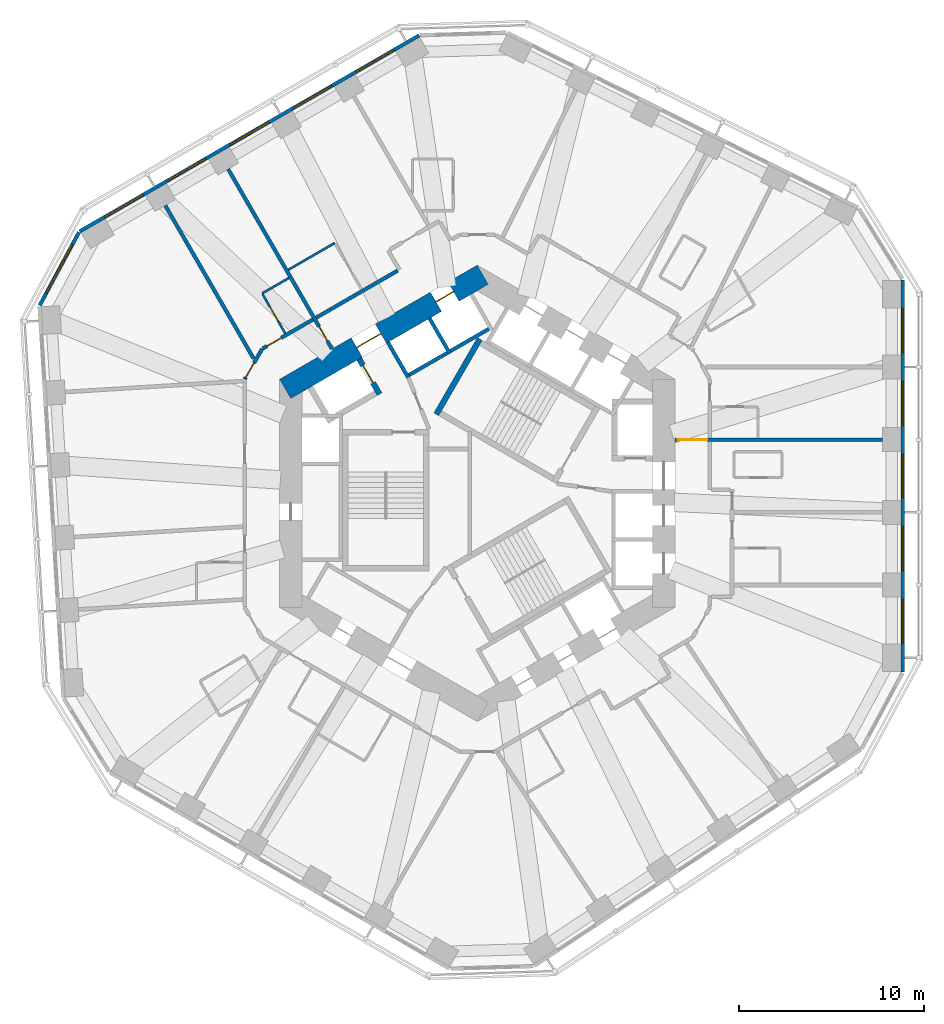
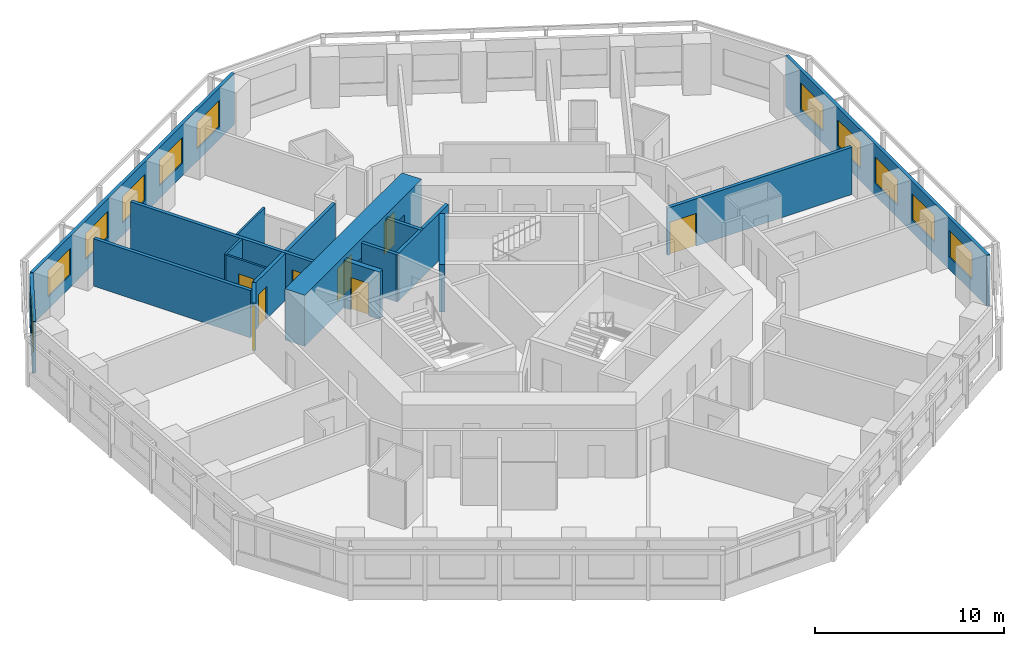
# One storey, part 7 of 12: 18 walls, 11 windows, 8 doors, 19 openings.
"""IFC4 building model written with IfcOpenShell, lengths in metres."""

from ifc_helpers import new_model, si_unit, direction, frame, frame_2d, origin, place, context, subcontext, project, spatial, rectangle, extrude, material, layer, layer_set, type_object, element, fill, save


model = new_model("IFC4")

# Units and contexts
model_context = context("Model", 3, precision=1e-05, world=origin(), true_north=direction((0.0, 1.0)))
body_context = subcontext(model_context, "Body", "Model", "MODEL_VIEW")
ifc_project = project(units=[si_unit("LENGTHUNIT", "METRE"), si_unit("AREAUNIT", "SQUARE_METRE"), si_unit("VOLUMEUNIT", "CUBIC_METRE"), si_unit("PLANEANGLEUNIT", "RADIAN"), si_unit("MASSUNIT", "GRAM", prefix="KILO")], contexts=[model_context])

# Site, building, storey
site_placement = place(None, origin())
site = spatial("IfcSite", under=ifc_project, at=site_placement, CompositionType="ELEMENT")
building_placement = place(site_placement, origin())
building = spatial("IfcBuilding", under=site, at=building_placement, Name="Vanh Sen Convention Tower", CompositionType="ELEMENT")
storey_placement = place(building_placement, frame((0.0, 0.0, 44.0)))
storey = spatial("IfcBuildingStorey", under=building, at=storey_placement, Name="L07", CompositionType="ELEMENT", Elevation=44.0)

# Wall
ifc_material_1 = material(Name="Moisture-resistant gypsum board on steel studs", Category="steel")
ifc_layer_1 = layer(ifc_material_1, 0.1201171875)
ifc_layer_set_1 = layer_set([ifc_layer_1], Name="Moisture-resistant gypsum board on steel studs")
wall_type_1 = type_object("IfcWallType", Name="Bathroom partition 120", PredefinedType="PARTITIONING", material=ifc_layer_set_1)
wall_1_placement = place(storey_placement, frame((-11.65087890625, 10.82470703125, 0.0), z_axis=(0.0, 0.0, 1.0), x_axis=(0.865998477143, 0.500046635412, 0.0)))
element("IfcWall", 1, at=wall_1_placement, inside=storey, type_object=wall_type_1, Name="Bathroom partition 120", PredefinedType="PARTITIONING", context=body_context, shape_type="SweptSolid", body=[
    extrude(rectangle(XDim=1.673095703125, YDim=0.1201171875, at=frame_2d((0.83642578125, 0.0))), origin(), (0.0, 0.0, 1.0), 3.050048828125),
])

# Wall, opening, door
wall_2_placement = place(storey_placement, frame((-10.40087890625, 8.65966796875, 0.0), z_axis=(0.0, 0.0, 1.0), x_axis=(-0.500077547548, 0.865980627057, 0.0)))
wall_2 = element("IfcWall", 2, at=wall_2_placement, inside=storey, type_object=wall_type_1, Name="Bathroom partition 120", PredefinedType="PARTITIONING", context=body_context, shape_type="SweptSolid", body=[
    extrude(rectangle(XDim=2.43994140625, YDim=0.1201171875, at=frame_2d((1.219970703125, 0.0))), origin(), (0.0, 0.0, 1.0), 3.050048828125),
])
opening_1_placement = place(wall_2_placement, frame((0.77001953125, 0.0, 0.0)))
opening_1 = element("IfcOpeningElement", 3, at=opening_1_placement, cuts=wall_2, Name="Opening D07117", PredefinedType="OPENING", context=body_context, shape_type="SweptSolid", body=[
    extrude(rectangle(XDim=0.89990234375, YDim=2.10009765625, at=frame_2d((0.449951171875, 1.050048828125))), frame((0.0, 0.070068359375, 0.0), z_axis=(0.0, -1.0, 0.0), x_axis=(1.0, 0.0, 0.0)), (0.0, 0.0, 1.0), 0.14013671875),
])
ifc_material_2 = material(Name="Laminate door in steel frame", Category="steel")
door_type_1 = type_object("IfcDoorType", Name="En-suite door 900", OperationType="SINGLE_SWING_LEFT", PredefinedType="DOOR", material=ifc_material_2)
door_1_placement = place(opening_1_placement, origin())
door_1 = element("IfcDoor", 4, at=door_1_placement, inside=storey, type_object=door_type_1, Name="En-suite door D07117", OperationType="SINGLE_SWING_LEFT", OverallHeight=2.10009765625, OverallWidth=0.89990234375, PredefinedType="DOOR", context=body_context, shape_type="SweptSolid", body=[
    extrude(rectangle(XDim=0.89990234375, YDim=2.10009765625, at=frame_2d((0.449951171875, 1.050048828125))), frame((0.0, 0.02490234375, 0.0), z_axis=(0.0, -1.0, 0.0), x_axis=(1.0, 0.0, 0.0)), (0.0, 0.0, 1.0), 0.050048828125),
])
fill(opening_1, door_1)

# Wall
wall_3_placement = place(storey_placement, frame((-10.228759765625, 12.107666015625, 0.0), z_axis=(0.0, 0.0, 1.0), x_axis=(0.866032775405, 0.499987231761, 0.0)))
element("IfcWall", 5, at=wall_3_placement, inside=storey, type_object=wall_type_1, Name="Bathroom partition 120", PredefinedType="PARTITIONING", context=body_context, shape_type="SweptSolid", body=[
    extrude(rectangle(XDim=2.89990234375, YDim=0.1201171875, at=frame_2d((1.449951171875, 0.0))), origin(), (0.0, 0.0, 1.0), 3.050048828125),
])

# Wall, openings, doors
ifc_material_3 = material(Name="Concrete C80/95", Category="concrete")
ifc_layer_2 = layer(ifc_material_3, 1.199951171875)
ifc_layer_set_2 = layer_set([ifc_layer_2], Name="Concrete C80/95")
wall_type_2 = type_object("IfcWallType", Name="Core outer wall 1200 C80/95", PredefinedType="SHEAR", material=ifc_layer_set_2)
wall_4_placement = place(storey_placement, frame((0.300048828125, 11.835693359375, 0.0), z_axis=(0.0, 0.0, 1.0), x_axis=(-0.866021384402, -0.500006961711, 0.0)))
wall_4 = element("IfcWall", 6, at=wall_4_placement, inside=storey, type_object=wall_type_2, Name="Core wall face NW L07", PredefinedType="SHEAR", context=body_context, shape_type="SweptSolid", body=[
    extrude(rectangle(XDim=12.355224609375, YDim=1.199951171875, at=frame_2d((6.177734375, 0.0))), origin(), (0.0, 0.0, 1.0), 3.300048828125),
])
opening_2_placement = place(wall_4_placement, frame((6.377685546875, 0.0, 0.0)))
opening_2 = element("IfcOpeningElement", 7, at=opening_2_placement, cuts=wall_4, Name="Opening D07002", PredefinedType="OPENING", context=body_context, shape_type="SweptSolid", body=[
    extrude(rectangle(XDim=1.5, YDim=2.10009765625, at=frame_2d((0.75, 1.050048828125))), frame((0.0, 0.60986328125, 0.0), z_axis=(0.0, -1.0, 0.0), x_axis=(1.0, 0.0, 0.0)), (0.0, 0.0, 1.0), 1.219970703125),
])
opening_3_placement = place(wall_4_placement, frame((1.82763671875, 0.0, 0.0)))
opening_3 = element("IfcOpeningElement", 8, at=opening_3_placement, cuts=wall_4, Name="Opening LD-LR6", PredefinedType="OPENING", context=body_context, shape_type="SweptSolid", body=[
    extrude(rectangle(XDim=1.10009765625, YDim=2.10009765625, at=frame_2d((0.550048828125, 1.050048828125))), frame((0.0, 0.60986328125, 0.0), z_axis=(0.0, -1.0, 0.0), x_axis=(1.0, 0.0, 0.0)), (0.0, 0.0, 1.0), 1.219970703125),
])
ifc_material_4 = material(Name="Stainless steel", Category="steel")
door_type_2 = type_object("IfcDoorType", Name="Lift landing door 1100", OperationType="DOUBLE_DOOR_SLIDING", PredefinedType="DOOR", material=ifc_material_4)
door_2_placement = place(opening_3_placement, origin())
door_2 = element("IfcDoor", 9, at=door_2_placement, inside=storey, type_object=door_type_2, Name="Lift LR6 landing door LD-LR6", OperationType="DOUBLE_DOOR_SLIDING", OverallHeight=2.10009765625, OverallWidth=1.10009765625, PredefinedType="DOOR", context=body_context, shape_type="SweptSolid", body=[
    extrude(rectangle(XDim=1.10009765625, YDim=2.10009765625, at=frame_2d((0.550048828125, 1.050048828125))), frame((0.0, 0.02490234375, 0.0), z_axis=(0.0, -1.0, 0.0), x_axis=(1.0, 0.0, 0.0)), (0.0, 0.0, 1.0), 0.050048828125),
])
fill(opening_3, door_2)
ifc_material_5 = material(Name="Steel S355", Category="steel")
door_type_3 = type_object("IfcDoorType", Name="Stair lobby door 1500", OperationType="DOUBLE_DOOR_SINGLE_SWING", PredefinedType="DOOR", material=ifc_material_5)
door_3_placement = place(opening_2_placement, origin())
door_3 = element("IfcDoor", 10, at=door_3_placement, inside=storey, type_object=door_type_3, Name="Stair lobby door D07002", OperationType="DOUBLE_DOOR_SINGLE_SWING", OverallHeight=2.10009765625, OverallWidth=1.5, PredefinedType="DOOR", context=body_context, shape_type="SweptSolid", body=[
    extrude(rectangle(XDim=1.5, YDim=2.10009765625, at=frame_2d((0.75, 1.050048828125))), frame((0.0, 0.02490234375, 0.0), z_axis=(0.0, -1.0, 0.0), x_axis=(1.0, 0.0, 0.0)), (0.0, 0.0, 1.0), 0.050048828125),
])
fill(opening_2, door_3)

# Wall, opening, door
ifc_material_6 = material(Name="Gypsum board on steel studs with mineral wool", Category="steel")
ifc_layer_3 = layer(ifc_material_6, 0.199951171875)
ifc_layer_set_3 = layer_set([ifc_layer_3], Name="Gypsum board on steel studs with mineral wool")
wall_type_3 = type_object("IfcWallType", Name="Corridor partition wall 200", PredefinedType="PARTITIONING", material=ifc_layer_set_3)
wall_5_placement = place(storey_placement, frame((-11.64990234375, 7.822998046875, 0.0), z_axis=(0.0, 0.0, 1.0), x_axis=(-0.500063520245, -0.865988727248, 0.0)))
wall_5 = element("IfcWall", 11, at=wall_5_placement, inside=storey, type_object=wall_type_3, Name="Corridor partition wall 200", PredefinedType="PARTITIONING", context=body_context, shape_type="SweptSolid", body=[
    extrude(rectangle(XDim=1.900146484375, YDim=0.199951171875, at=frame_2d((0.9501953125, 0.0))), origin(), (0.0, 0.0, 1.0), 3.050048828125),
])
opening_4_placement = place(wall_5_placement, frame((0.8818359375, 0.0, 0.0)))
opening_4 = element("IfcOpeningElement", 12, at=opening_4_placement, cuts=wall_5, Name="Opening D07118", PredefinedType="OPENING", context=body_context, shape_type="SweptSolid", body=[
    extrude(rectangle(XDim=0.89990234375, YDim=2.10009765625, at=frame_2d((0.449951171875, 1.050048828125))), frame((0.0, 0.10986328125, 0.0), z_axis=(0.0, -1.0, 0.0), x_axis=(1.0, 0.0, 0.0)), (0.0, 0.0, 1.0), 0.219970703125),
])
ifc_material_7 = material(Name="Timber fire door in steel frame", Category="steel")
door_type_4 = type_object("IfcDoorType", Name="Floor room door 900", OperationType="SINGLE_SWING_LEFT", PredefinedType="DOOR", material=ifc_material_7)
door_4_placement = place(opening_4_placement, origin())
door_4 = element("IfcDoor", 13, at=door_4_placement, inside=storey, type_object=door_type_4, Name="Meeting and amenity room door D07118", OperationType="SINGLE_SWING_LEFT", OverallHeight=2.10009765625, OverallWidth=0.89990234375, PredefinedType="DOOR", context=body_context, shape_type="SweptSolid", body=[
    extrude(rectangle(XDim=0.89990234375, YDim=2.10009765625, at=frame_2d((0.449951171875, 1.050048828125))), frame((0.0, 0.02490234375, 0.0), z_axis=(0.0, -1.0, 0.0), x_axis=(1.0, 0.0, 0.0)), (0.0, 0.0, 1.0), 0.050048828125),
])
fill(opening_4, door_4)

wall_6_placement = place(storey_placement, frame((-8.902099609375, 9.40966796875, 0.0), z_axis=(0.0, 0.0, 1.0), x_axis=(-0.866014299198, -0.500019233215, 0.0)))
wall_6 = element("IfcWall", 14, at=wall_6_placement, inside=storey, type_object=wall_type_3, Name="Corridor partition wall 200", PredefinedType="PARTITIONING", context=body_context, shape_type="SweptSolid", body=[
    extrude(rectangle(XDim=3.13330078125, YDim=0.199951171875, at=frame_2d((1.566650390625, 0.0))), origin(), (0.0, 0.0, 1.0), 3.050048828125),
])
opening_5_placement = place(wall_6_placement, frame((1.97802734375, 0.0, 0.0)))
opening_5 = element("IfcOpeningElement", 15, at=opening_5_placement, cuts=wall_6, Name="Opening D07116", PredefinedType="OPENING", context=body_context, shape_type="SweptSolid", body=[
    extrude(rectangle(XDim=0.89990234375, YDim=2.10009765625, at=frame_2d((0.449951171875, 1.050048828125))), frame((0.0, 0.10986328125, 0.0), z_axis=(0.0, -1.0, 0.0), x_axis=(1.0, 0.0, 0.0)), (0.0, 0.0, 1.0), 0.219970703125),
])
door_type_5 = type_object("IfcDoorType", Name="Guest room door 900", OperationType="SINGLE_SWING_LEFT", PredefinedType="DOOR", material=ifc_material_7)
door_5_placement = place(opening_5_placement, origin())
door_5 = element("IfcDoor", 16, at=door_5_placement, inside=storey, type_object=door_type_5, Name="Hotel guest room door D07116", OperationType="SINGLE_SWING_LEFT", OverallHeight=2.10009765625, OverallWidth=0.89990234375, PredefinedType="DOOR", context=body_context, shape_type="SweptSolid", body=[
    extrude(rectangle(XDim=0.89990234375, YDim=2.10009765625, at=frame_2d((0.449951171875, 1.050048828125))), frame((0.0, 0.02490234375, 0.0), z_axis=(0.0, -1.0, 0.0), x_axis=(1.0, 0.0, 0.0)), (0.0, 0.0, 1.0), 0.050048828125),
])
fill(opening_5, door_5)

# Wall
wall_7_placement = place(storey_placement, frame((-4.30908203125, 12.061279296875, 0.0), z_axis=(0.0, 0.0, 1.0), x_axis=(-0.866020679205, -0.500008183122, 0.0)))
element("IfcWall", 17, at=wall_7_placement, inside=storey, type_object=wall_type_3, Name="Corridor partition wall 200", PredefinedType="PARTITIONING", context=body_context, shape_type="SweptSolid", body=[
    extrude(rectangle(XDim=5.103515625, YDim=0.199951171875, at=frame_2d((2.5517578125, 0.0))), origin(), (0.0, 0.0, 1.0), 3.050048828125),
])

# Wall, openings, windows
ifc_material_8 = material(Name="Insulated lightweight infill wall")
ifc_layer_4 = layer(ifc_material_8, 0.199951171875)
ifc_layer_set_4 = layer_set([ifc_layer_4], Name="Insulated lightweight infill wall")
wall_type_4 = type_object("IfcWallType", Name="External wall 200", PredefinedType="STANDARD", material=ifc_layer_set_4)
wall_8_placement = place(storey_placement, frame((23.050048828125, -9.6865234375, 0.0), z_axis=(0.0, 0.0, 1.0), x_axis=(0.0, 1.0, 0.0)))
wall_8 = element("IfcWall", 18, at=wall_8_placement, inside=storey, type_object=wall_type_4, Name="External wall E L07", PredefinedType="STANDARD", context=body_context, shape_type="SweptSolid", body=[
    extrude(rectangle(XDim=21.24609375, YDim=0.199951171875, at=frame_2d((10.623046875, 0.0))), origin(), (0.0, 0.0, 1.0), 3.300048828125),
])
opening_6_placement = place(wall_8_placement, frame((1.5546875, 0.0, 0.800048828125)))
opening_6 = element("IfcOpeningElement", 19, at=opening_6_placement, cuts=wall_8, Name="Opening WH1-E1", PredefinedType="OPENING", context=body_context, shape_type="SweptSolid", body=[
    extrude(rectangle(XDim=2.39990234375, YDim=1.699951171875, at=frame_2d((1.199951171875, 0.85009765625))), frame((0.0, 0.10986328125, 0.0), z_axis=(0.0, -1.0, 0.0), x_axis=(1.0, 0.0, 0.0)), (0.0, 0.0, 1.0), 0.219970703125),
])
opening_7_placement = place(wall_8_placement, frame((5.4892578125, 0.0, 0.800048828125)))
opening_7 = element("IfcOpeningElement", 20, at=opening_7_placement, cuts=wall_8, Name="Opening WH1-E2", PredefinedType="OPENING", context=body_context, shape_type="SweptSolid", body=[
    extrude(rectangle(XDim=2.39990234375, YDim=1.699951171875, at=frame_2d((1.199951171875, 0.85009765625))), frame((0.0, 0.10986328125, 0.0), z_axis=(0.0, -1.0, 0.0), x_axis=(1.0, 0.0, 0.0)), (0.0, 0.0, 1.0), 0.219970703125),
])
opening_8_placement = place(wall_8_placement, frame((9.423828125, 0.0, 0.800048828125)))
opening_8 = element("IfcOpeningElement", 21, at=opening_8_placement, cuts=wall_8, Name="Opening WH1-E3", PredefinedType="OPENING", context=body_context, shape_type="SweptSolid", body=[
    extrude(rectangle(XDim=2.39990234375, YDim=1.699951171875, at=frame_2d((1.199951171875, 0.85009765625))), frame((0.0, 0.10986328125, 0.0), z_axis=(0.0, -1.0, 0.0), x_axis=(1.0, 0.0, 0.0)), (0.0, 0.0, 1.0), 0.219970703125),
])
opening_9_placement = place(wall_8_placement, frame((13.3583984375, 0.0, 0.800048828125)))
opening_9 = element("IfcOpeningElement", 22, at=opening_9_placement, cuts=wall_8, Name="Opening WH1-E4", PredefinedType="OPENING", context=body_context, shape_type="SweptSolid", body=[
    extrude(rectangle(XDim=2.39990234375, YDim=1.699951171875, at=frame_2d((1.199951171875, 0.85009765625))), frame((0.0, 0.10986328125, 0.0), z_axis=(0.0, -1.0, 0.0), x_axis=(1.0, 0.0, 0.0)), (0.0, 0.0, 1.0), 0.219970703125),
])
opening_10_placement = place(wall_8_placement, frame((17.29296875, 0.0, 0.800048828125)))
opening_10 = element("IfcOpeningElement", 23, at=opening_10_placement, cuts=wall_8, Name="Opening WH1-E5", PredefinedType="OPENING", context=body_context, shape_type="SweptSolid", body=[
    extrude(rectangle(XDim=2.39990234375, YDim=1.699951171875, at=frame_2d((1.199951171875, 0.85009765625))), frame((0.0, 0.10986328125, 0.0), z_axis=(0.0, -1.0, 0.0), x_axis=(1.0, 0.0, 0.0)), (0.0, 0.0, 1.0), 0.219970703125),
])
ifc_material_9 = material(Name="Aluminium frame with clear low-emissivity glass", Category="aluminium")
window_type_1 = type_object("IfcWindowType", Name="Hotel window 2400 x 1700", PartitioningType="SINGLE_PANEL", PredefinedType="WINDOW", material=ifc_material_9)
window_1_placement = place(opening_6_placement, origin())
window_1 = element("IfcWindow", 24, at=window_1_placement, inside=storey, type_object=window_type_1, Name="Window WH1-E1", OverallHeight=1.699951171875, OverallWidth=2.39990234375, PartitioningType="SINGLE_PANEL", PredefinedType="WINDOW", context=body_context, shape_type="SweptSolid", body=[
    extrude(rectangle(XDim=2.39990234375, YDim=1.699951171875, at=frame_2d((1.199951171875, 0.85009765625))), frame((0.0, 0.030029296875, 0.0), z_axis=(0.0, -1.0, 0.0), x_axis=(1.0, 0.0, 0.0)), (0.0, 0.0, 1.0), 0.06005859375),
])
fill(opening_6, window_1)
window_2_placement = place(opening_7_placement, origin())
window_2 = element("IfcWindow", 25, at=window_2_placement, inside=storey, type_object=window_type_1, Name="Window WH1-E2", OverallHeight=1.699951171875, OverallWidth=2.39990234375, PartitioningType="SINGLE_PANEL", PredefinedType="WINDOW", context=body_context, shape_type="SweptSolid", body=[
    extrude(rectangle(XDim=2.39990234375, YDim=1.699951171875, at=frame_2d((1.199951171875, 0.85009765625))), frame((0.0, 0.030029296875, 0.0), z_axis=(0.0, -1.0, 0.0), x_axis=(1.0, 0.0, 0.0)), (0.0, 0.0, 1.0), 0.06005859375),
])
fill(opening_7, window_2)
window_3_placement = place(opening_8_placement, origin())
window_3 = element("IfcWindow", 26, at=window_3_placement, inside=storey, type_object=window_type_1, Name="Window WH1-E3", OverallHeight=1.699951171875, OverallWidth=2.39990234375, PartitioningType="SINGLE_PANEL", PredefinedType="WINDOW", context=body_context, shape_type="SweptSolid", body=[
    extrude(rectangle(XDim=2.39990234375, YDim=1.699951171875, at=frame_2d((1.199951171875, 0.85009765625))), frame((0.0, 0.030029296875, 0.0), z_axis=(0.0, -1.0, 0.0), x_axis=(1.0, 0.0, 0.0)), (0.0, 0.0, 1.0), 0.06005859375),
])
fill(opening_8, window_3)
window_4_placement = place(opening_9_placement, origin())
window_4 = element("IfcWindow", 27, at=window_4_placement, inside=storey, type_object=window_type_1, Name="Window WH1-E4", OverallHeight=1.699951171875, OverallWidth=2.39990234375, PartitioningType="SINGLE_PANEL", PredefinedType="WINDOW", context=body_context, shape_type="SweptSolid", body=[
    extrude(rectangle(XDim=2.39990234375, YDim=1.699951171875, at=frame_2d((1.199951171875, 0.85009765625))), frame((0.0, 0.030029296875, 0.0), z_axis=(0.0, -1.0, 0.0), x_axis=(1.0, 0.0, 0.0)), (0.0, 0.0, 1.0), 0.06005859375),
])
fill(opening_9, window_4)
window_5_placement = place(opening_10_placement, origin())
window_5 = element("IfcWindow", 28, at=window_5_placement, inside=storey, type_object=window_type_1, Name="Window WH1-E5", OverallHeight=1.699951171875, OverallWidth=2.39990234375, PartitioningType="SINGLE_PANEL", PredefinedType="WINDOW", context=body_context, shape_type="SweptSolid", body=[
    extrude(rectangle(XDim=2.39990234375, YDim=1.699951171875, at=frame_2d((1.199951171875, 0.85009765625))), frame((0.0, 0.030029296875, 0.0), z_axis=(0.0, -1.0, 0.0), x_axis=(1.0, 0.0, 0.0)), (0.0, 0.0, 1.0), 0.06005859375),
])
fill(opening_10, window_5)

wall_9_placement = place(storey_placement, frame((-3.135986328125, 24.80517578125, 0.0), z_axis=(0.0, 0.0, 1.0), x_axis=(-0.866028291626, -0.499994998079, 0.0)))
wall_9 = element("IfcWall", 29, at=wall_9_placement, inside=storey, type_object=wall_type_4, Name="External wall NW L07", PredefinedType="STANDARD", context=body_context, shape_type="SweptSolid", body=[
    extrude(rectangle(XDim=21.246337890625, YDim=0.199951171875, at=frame_2d((10.623046875, 0.0))), origin(), (0.0, 0.0, 1.0), 3.300048828125),
])
opening_11_placement = place(wall_9_placement, frame((1.5546875, 0.0, 0.800048828125)))
opening_11 = element("IfcOpeningElement", 30, at=opening_11_placement, cuts=wall_9, Name="Opening WH1-NW1", PredefinedType="OPENING", context=body_context, shape_type="SweptSolid", body=[
    extrude(rectangle(XDim=2.39990234375, YDim=1.699951171875, at=frame_2d((1.199951171875, 0.85009765625))), frame((0.0, 0.10986328125, 0.0), z_axis=(0.0, -1.0, 0.0), x_axis=(1.0, 0.0, 0.0)), (0.0, 0.0, 1.0), 0.219970703125),
])
opening_12_placement = place(wall_9_placement, frame((5.4892578125, 0.0, 0.800048828125)))
opening_12 = element("IfcOpeningElement", 31, at=opening_12_placement, cuts=wall_9, Name="Opening WH1-NW2", PredefinedType="OPENING", context=body_context, shape_type="SweptSolid", body=[
    extrude(rectangle(XDim=2.39990234375, YDim=1.699951171875, at=frame_2d((1.199951171875, 0.85009765625))), frame((0.0, 0.10986328125, 0.0), z_axis=(0.0, -1.0, 0.0), x_axis=(1.0, 0.0, 0.0)), (0.0, 0.0, 1.0), 0.219970703125),
])
opening_13_placement = place(wall_9_placement, frame((9.423828125, 0.0, 0.800048828125)))
opening_13 = element("IfcOpeningElement", 32, at=opening_13_placement, cuts=wall_9, Name="Opening WH1-NW3", PredefinedType="OPENING", context=body_context, shape_type="SweptSolid", body=[
    extrude(rectangle(XDim=2.39990234375, YDim=1.699951171875, at=frame_2d((1.199951171875, 0.85009765625))), frame((0.0, 0.10986328125, 0.0), z_axis=(0.0, -1.0, 0.0), x_axis=(1.0, 0.0, 0.0)), (0.0, 0.0, 1.0), 0.219970703125),
])
opening_14_placement = place(wall_9_placement, frame((13.3583984375, 0.0, 0.800048828125)))
opening_14 = element("IfcOpeningElement", 33, at=opening_14_placement, cuts=wall_9, Name="Opening WH1-NW4", PredefinedType="OPENING", context=body_context, shape_type="SweptSolid", body=[
    extrude(rectangle(XDim=2.39990234375, YDim=1.699951171875, at=frame_2d((1.199951171875, 0.85009765625))), frame((0.0, 0.10986328125, 0.0), z_axis=(0.0, -1.0, 0.0), x_axis=(1.0, 0.0, 0.0)), (0.0, 0.0, 1.0), 0.219970703125),
])
opening_15_placement = place(wall_9_placement, frame((17.293212890625, 0.0, 0.800048828125)))
opening_15 = element("IfcOpeningElement", 34, at=opening_15_placement, cuts=wall_9, Name="Opening WH1-NW5", PredefinedType="OPENING", context=body_context, shape_type="SweptSolid", body=[
    extrude(rectangle(XDim=2.39990234375, YDim=1.699951171875, at=frame_2d((1.199951171875, 0.85009765625))), frame((0.0, 0.10986328125, 0.0), z_axis=(0.0, -1.0, 0.0), x_axis=(1.0, 0.0, 0.0)), (0.0, 0.0, 1.0), 0.219970703125),
])
window_6_placement = place(opening_11_placement, origin())
window_6 = element("IfcWindow", 35, at=window_6_placement, inside=storey, type_object=window_type_1, Name="Window WH1-NW1", OverallHeight=1.699951171875, OverallWidth=2.39990234375, PartitioningType="SINGLE_PANEL", PredefinedType="WINDOW", context=body_context, shape_type="SweptSolid", body=[
    extrude(rectangle(XDim=2.39990234375, YDim=1.699951171875, at=frame_2d((1.199951171875, 0.85009765625))), frame((0.0, 0.030029296875, 0.0), z_axis=(0.0, -1.0, 0.0), x_axis=(1.0, 0.0, 0.0)), (0.0, 0.0, 1.0), 0.06005859375),
])
fill(opening_11, window_6)
window_7_placement = place(opening_12_placement, origin())
window_7 = element("IfcWindow", 36, at=window_7_placement, inside=storey, type_object=window_type_1, Name="Window WH1-NW2", OverallHeight=1.699951171875, OverallWidth=2.39990234375, PartitioningType="SINGLE_PANEL", PredefinedType="WINDOW", context=body_context, shape_type="SweptSolid", body=[
    extrude(rectangle(XDim=2.39990234375, YDim=1.699951171875, at=frame_2d((1.199951171875, 0.85009765625))), frame((0.0, 0.030029296875, 0.0), z_axis=(0.0, -1.0, 0.0), x_axis=(1.0, 0.0, 0.0)), (0.0, 0.0, 1.0), 0.06005859375),
])
fill(opening_12, window_7)
window_8_placement = place(opening_13_placement, origin())
window_8 = element("IfcWindow", 37, at=window_8_placement, inside=storey, type_object=window_type_1, Name="Window WH1-NW3", OverallHeight=1.699951171875, OverallWidth=2.39990234375, PartitioningType="SINGLE_PANEL", PredefinedType="WINDOW", context=body_context, shape_type="SweptSolid", body=[
    extrude(rectangle(XDim=2.39990234375, YDim=1.699951171875, at=frame_2d((1.199951171875, 0.85009765625))), frame((0.0, 0.030029296875, 0.0), z_axis=(0.0, -1.0, 0.0), x_axis=(1.0, 0.0, 0.0)), (0.0, 0.0, 1.0), 0.06005859375),
])
fill(opening_13, window_8)
window_9_placement = place(opening_14_placement, origin())
window_9 = element("IfcWindow", 38, at=window_9_placement, inside=storey, type_object=window_type_1, Name="Window WH1-NW4", OverallHeight=1.699951171875, OverallWidth=2.39990234375, PartitioningType="SINGLE_PANEL", PredefinedType="WINDOW", context=body_context, shape_type="SweptSolid", body=[
    extrude(rectangle(XDim=2.39990234375, YDim=1.699951171875, at=frame_2d((1.199951171875, 0.85009765625))), frame((0.0, 0.030029296875, 0.0), z_axis=(0.0, -1.0, 0.0), x_axis=(1.0, 0.0, 0.0)), (0.0, 0.0, 1.0), 0.06005859375),
])
fill(opening_14, window_9)
window_10_placement = place(opening_15_placement, origin())
window_10 = element("IfcWindow", 39, at=window_10_placement, inside=storey, type_object=window_type_1, Name="Window WH1-NW5", OverallHeight=1.699951171875, OverallWidth=2.39990234375, PartitioningType="SINGLE_PANEL", PredefinedType="WINDOW", context=body_context, shape_type="SweptSolid", body=[
    extrude(rectangle(XDim=2.39990234375, YDim=1.699951171875, at=frame_2d((1.199951171875, 0.85009765625))), frame((0.0, 0.030029296875, 0.0), z_axis=(0.0, -1.0, 0.0), x_axis=(1.0, 0.0, 0.0)), (0.0, 0.0, 1.0), 0.06005859375),
])
fill(opening_15, window_10)

# Wall, opening, window
wall_10_placement = place(storey_placement, frame((-21.573974609375, 14.142822265625, 0.0), z_axis=(0.0, 0.0, 1.0), x_axis=(-0.473292949472, -0.880905093628, 0.0)))
wall_10 = element("IfcWall", 40, at=wall_10_placement, inside=storey, type_object=wall_type_4, Name="External wall CH3 L07", PredefinedType="STANDARD", context=body_context, shape_type="SweptSolid", body=[
    extrude(rectangle(XDim=4.493896484375, YDim=0.199951171875, at=frame_2d((2.2470703125, 0.0))), origin(), (0.0, 0.0, 1.0), 3.300048828125),
])
opening_16_placement = place(wall_10_placement, frame((0.746826171875, 0.0, 0.800048828125)))
opening_16 = element("IfcOpeningElement", 41, at=opening_16_placement, cuts=wall_10, Name="Opening WH2-CH31", PredefinedType="OPENING", context=body_context, shape_type="SweptSolid", body=[
    extrude(rectangle(XDim=3.0, YDim=1.699951171875, at=frame_2d((1.5, 0.85009765625))), frame((0.0, 0.10986328125, 0.0), z_axis=(0.0, -1.0, 0.0), x_axis=(1.0, 0.0, 0.0)), (0.0, 0.0, 1.0), 0.219970703125),
])
window_type_2 = type_object("IfcWindowType", Name="Hotel window 3000 x 1700", PartitioningType="SINGLE_PANEL", PredefinedType="WINDOW", material=ifc_material_9)
window_11_placement = place(opening_16_placement, origin())
window_11 = element("IfcWindow", 42, at=window_11_placement, inside=storey, type_object=window_type_2, Name="Window WH2-CH31", OverallHeight=1.699951171875, OverallWidth=3.0, PartitioningType="SINGLE_PANEL", PredefinedType="WINDOW", context=body_context, shape_type="SweptSolid", body=[
    extrude(rectangle(XDim=3.0, YDim=1.699951171875, at=frame_2d((1.5, 0.85009765625))), frame((0.0, 0.030029296875, 0.0), z_axis=(0.0, -1.0, 0.0), x_axis=(1.0, 0.0, 0.0)), (0.0, 0.0, 1.0), 0.06005859375),
])
fill(opening_16, window_11)

# Wall, opening, door
ifc_material_10 = material(Name="Concrete C60/75", Category="concrete")
ifc_layer_5 = layer(ifc_material_10, 0.300048828125)
ifc_layer_set_5 = layer_set([ifc_layer_5], Name="Concrete C60/75")
wall_type_5 = type_object("IfcWallType", Name="Fire-fighting lift shaft wall 300", PredefinedType="SHEAR", material=ifc_layer_set_5)
wall_11_placement = place(storey_placement, frame((-5.29541015625, 5.3720703125, 0.0), z_axis=(0.0, 0.0, 1.0), x_axis=(-0.500077893725, 0.86598042715, 0.0)))
wall_11 = element("IfcWall", 43, at=wall_11_placement, inside=storey, type_object=wall_type_5, Name="Fire-fighting lift shaft wall L07", PredefinedType="SHEAR", context=body_context, shape_type="SweptSolid", body=[
    extrude(rectangle(XDim=2.199951171875, YDim=0.300048828125, at=frame_2d((1.10009765625, 0.0))), origin(), (0.0, 0.0, 1.0), 3.050048828125),
])
opening_17_placement = place(wall_11_placement, frame((0.699951171875, 0.0, 0.0)))
opening_17 = element("IfcOpeningElement", 44, at=opening_17_placement, cuts=wall_11, Name="Opening LD-FF2", PredefinedType="OPENING", context=body_context, shape_type="SweptSolid", body=[
    extrude(rectangle(XDim=1.10009765625, YDim=2.10009765625, at=frame_2d((0.550048828125, 1.050048828125))), frame((0.0, 0.159912109375, 0.0), z_axis=(0.0, -1.0, 0.0), x_axis=(1.0, 0.0, 0.0)), (0.0, 0.0, 1.0), 0.320068359375),
])
door_type_6 = type_object("IfcDoorType", Name="Fire-fighting lift landing door 1100", OperationType="DOUBLE_DOOR_SLIDING", PredefinedType="DOOR", material=ifc_material_4)
door_6_placement = place(opening_17_placement, origin())
door_6 = element("IfcDoor", 45, at=door_6_placement, inside=storey, type_object=door_type_6, Name="Lift FF2 landing door LD-FF2", OperationType="DOUBLE_DOOR_SLIDING", OverallHeight=2.10009765625, OverallWidth=1.10009765625, PredefinedType="DOOR", context=body_context, shape_type="SweptSolid", body=[
    extrude(rectangle(XDim=1.10009765625, YDim=2.10009765625, at=frame_2d((0.550048828125, 1.050048828125))), frame((0.0, 0.02490234375, 0.0), z_axis=(0.0, -1.0, 0.0), x_axis=(1.0, 0.0, 0.0)), (0.0, 0.0, 1.0), 0.050048828125),
])
fill(opening_17, door_6)

# Walls
ifc_layer_6 = layer(ifc_material_6, 0.199951171875)
ifc_layer_set_6 = layer_set([ifc_layer_6], Name="Gypsum board on steel studs with mineral wool")
wall_type_6 = type_object("IfcWallType", Name="Hotel party wall 200", PredefinedType="PARTITIONING", material=ifc_layer_set_6)
wall_12_placement = place(storey_placement, frame((-16.89794921875, 15.589599609375, 0.0), z_axis=(0.0, 0.0, 1.0), x_axis=(0.500023458698, -0.866011859475, 0.0)))
element("IfcWall", 46, at=wall_12_placement, inside=storey, type_object=wall_type_6, Name="Hotel party wall 200", PredefinedType="PARTITIONING", context=body_context, shape_type="SweptSolid", body=[
    extrude(rectangle(XDim=9.57177734375, YDim=0.199951171875, at=frame_2d((4.785888671875, 0.0))), origin(), (0.0, 0.0, 1.0), 3.050048828125),
])
ifc_material_11 = material(Name="Concrete C40/50", Category="concrete")
ifc_layer_7 = layer(ifc_material_11, 0.199951171875)
ifc_layer_set_7 = layer_set([ifc_layer_7], Name="Concrete C40/50")
wall_type_7 = type_object("IfcWallType", Name="Lift shaft wall 200", PredefinedType="PARTITIONING", material=ifc_layer_set_7)
wall_13_placement = place(storey_placement, frame((0.80322265625, 9.008544921875, 0.0), z_axis=(0.0, 0.0, 1.0), x_axis=(-0.866028230842, -0.499995103361, 0.0)))
element("IfcWall", 47, at=wall_13_placement, inside=storey, type_object=wall_type_7, Name="Lift shaft wall L07", PredefinedType="PARTITIONING", context=body_context, shape_type="SweptSolid", body=[
    extrude(rectangle(XDim=5.39990234375, YDim=0.199951171875, at=frame_2d((2.699951171875, 0.0))), origin(), (0.0, 0.0, 1.0), 3.050048828125),
])
for number, where, z_axis, x_axis, name in (
    (48, (-1.48486328125, 7.572021484375, 0.0), (0.0, 0.0, 1.0), (-0.50002983664, 0.866008176907, 0.0), "Lift shaft wall L07"),
    (49, (-3.736572265625, 6.27197265625, 0.0), (0.0, 0.0, 1.0), (-0.50002983664, 0.866008176907, 0.0), "Lift shaft wall L07"),
):
    element("IfcWall", number, at=place(storey_placement, frame(where, z_axis=z_axis, x_axis=x_axis)), inside=storey, type_object=wall_type_7, Name=name, PredefinedType="PARTITIONING", context=body_context, shape_type="SweptSolid", body=[
        extrude(rectangle(XDim=2.199951171875, YDim=0.199951171875, at=frame_2d((1.10009765625, 0.0))), origin(), (0.0, 0.0, 1.0), 3.050048828125),
    ])
ifc_layer_8 = layer(ifc_material_10, 0.300048828125)
ifc_layer_set_8 = layer_set([ifc_layer_8], Name="Concrete C60/75")
wall_type_8 = type_object("IfcWallType", Name="Stair wall 300", PredefinedType="SHEAR", material=ifc_layer_set_8)
wall_14_placement = place(storey_placement, frame((-2.216064453125, 4.28173828125, 0.0), z_axis=(0.0, 0.0, 1.0), x_axis=(0.499977259774, 0.866038532462, 0.0)))
element("IfcWall", 50, at=wall_14_placement, inside=storey, type_object=wall_type_8, Name="Stair wall L07", PredefinedType="SHEAR", context=body_context, shape_type="SweptSolid", body=[
    extrude(rectangle(XDim=4.699951171875, YDim=0.300048828125, at=frame_2d((2.35009765625, 0.0))), origin(), (0.0, 0.0, 1.0), 3.050048828125),
])

# Wall, opening, door
ifc_material_12 = material(Name="Concrete C20/25", Category="concrete")
ifc_layer_9 = layer(ifc_material_12, 0.199951171875)
ifc_layer_set_9 = layer_set([ifc_layer_9], Name="Concrete C20/25")
wall_type_9 = type_object("IfcWallType", Name="Sub-compartment wall 200", PredefinedType="PARTITIONING", material=ifc_layer_set_9)
wall_15_placement = place(storey_placement, frame((-7.865478515625, 7.814208984375, 0.0), z_axis=(0.0, 0.0, 1.0), x_axis=(-0.500004234368, 0.866022959057, 0.0)))
wall_15 = element("IfcWall", 51, at=wall_15_placement, inside=storey, type_object=wall_type_9, Name="Sub-compartment wall 200", PredefinedType="PARTITIONING", context=body_context, shape_type="SweptSolid", body=[
    extrude(rectangle(XDim=11.25, YDim=0.199951171875, at=frame_2d((5.625, 0.0))), origin(), (0.0, 0.0, 1.0), 3.050048828125),
])
opening_18_placement = place(wall_15_placement, frame((0.5, 0.0, 0.0)))
opening_18 = element("IfcOpeningElement", 52, at=opening_18_placement, cuts=wall_15, Name="Opening D07133", PredefinedType="OPENING", context=body_context, shape_type="SweptSolid", body=[
    extrude(rectangle(XDim=0.89990234375, YDim=2.10009765625, at=frame_2d((0.449951171875, 1.050048828125))), frame((0.0, 0.10986328125, 0.0), z_axis=(0.0, -1.0, 0.0), x_axis=(1.0, 0.0, 0.0)), (0.0, 0.0, 1.0), 0.219970703125),
])
ifc_material_13 = material(Name="Steel S355", Category="steel")
door_type_7 = type_object("IfcDoorType", Name="Corridor fire door 900", OperationType="SINGLE_SWING_LEFT", PredefinedType="DOOR", material=ifc_material_13)
door_7_placement = place(opening_18_placement, origin())
door_7 = element("IfcDoor", 53, at=door_7_placement, inside=storey, type_object=door_type_7, Name="Sub-compartment door D07133", OperationType="SINGLE_SWING_LEFT", OverallHeight=2.10009765625, OverallWidth=0.89990234375, PredefinedType="DOOR", context=body_context, shape_type="SweptSolid", body=[
    extrude(rectangle(XDim=0.89990234375, YDim=2.10009765625, at=frame_2d((0.449951171875, 1.050048828125))), frame((0.0, 0.02490234375, 0.0), z_axis=(0.0, -1.0, 0.0), x_axis=(1.0, 0.0, 0.0)), (0.0, 0.0, 1.0), 0.050048828125),
])
fill(opening_18, door_7)

wall_16_placement = place(storey_placement, frame((21.949951171875, 2.904541015625, 0.0), z_axis=(0.0, 0.0, 1.0), x_axis=(-1.0, 0.0, 0.0)))
wall_16 = element("IfcWall", 54, at=wall_16_placement, inside=storey, type_object=wall_type_9, Name="Sub-compartment wall 200", PredefinedType="PARTITIONING", context=body_context, shape_type="SweptSolid", body=[
    extrude(rectangle(XDim=11.25, YDim=0.199951171875, at=frame_2d((5.625, 0.0))), origin(), (0.0, 0.0, 1.0), 3.050048828125),
])
opening_19_placement = place(wall_16_placement, frame((9.5, 0.0, 0.0)))
opening_19 = element("IfcOpeningElement", 55, at=opening_19_placement, cuts=wall_16, Name="Opening D07134", PredefinedType="OPENING", context=body_context, shape_type="SweptSolid", body=[
    extrude(rectangle(XDim=1.60009765625, YDim=2.10009765625, at=frame_2d((0.800048828125, 1.050048828125))), frame((0.0, 0.10986328125, 0.0), z_axis=(0.0, -1.0, 0.0), x_axis=(1.0, 0.0, 0.0)), (0.0, 0.0, 1.0), 0.219970703125),
])
door_type_8 = type_object("IfcDoorType", Name="Corridor fire door 1600", OperationType="DOUBLE_DOOR_SINGLE_SWING", PredefinedType="DOOR", material=ifc_material_13)
door_8_placement = place(opening_19_placement, origin())
door_8 = element("IfcDoor", 56, at=door_8_placement, inside=storey, type_object=door_type_8, Name="Sub-compartment door D07134", OperationType="DOUBLE_DOOR_SINGLE_SWING", OverallHeight=2.10009765625, OverallWidth=1.60009765625, PredefinedType="DOOR", context=body_context, shape_type="SweptSolid", body=[
    extrude(rectangle(XDim=1.60009765625, YDim=2.10009765625, at=frame_2d((0.800048828125, 1.050048828125))), frame((0.0, 0.02490234375, 0.0), z_axis=(0.0, -1.0, 0.0), x_axis=(1.0, 0.0, 0.0)), (0.0, 0.0, 1.0), 0.050048828125),
])
fill(opening_19, door_8)

save(model, "model.ifc")
